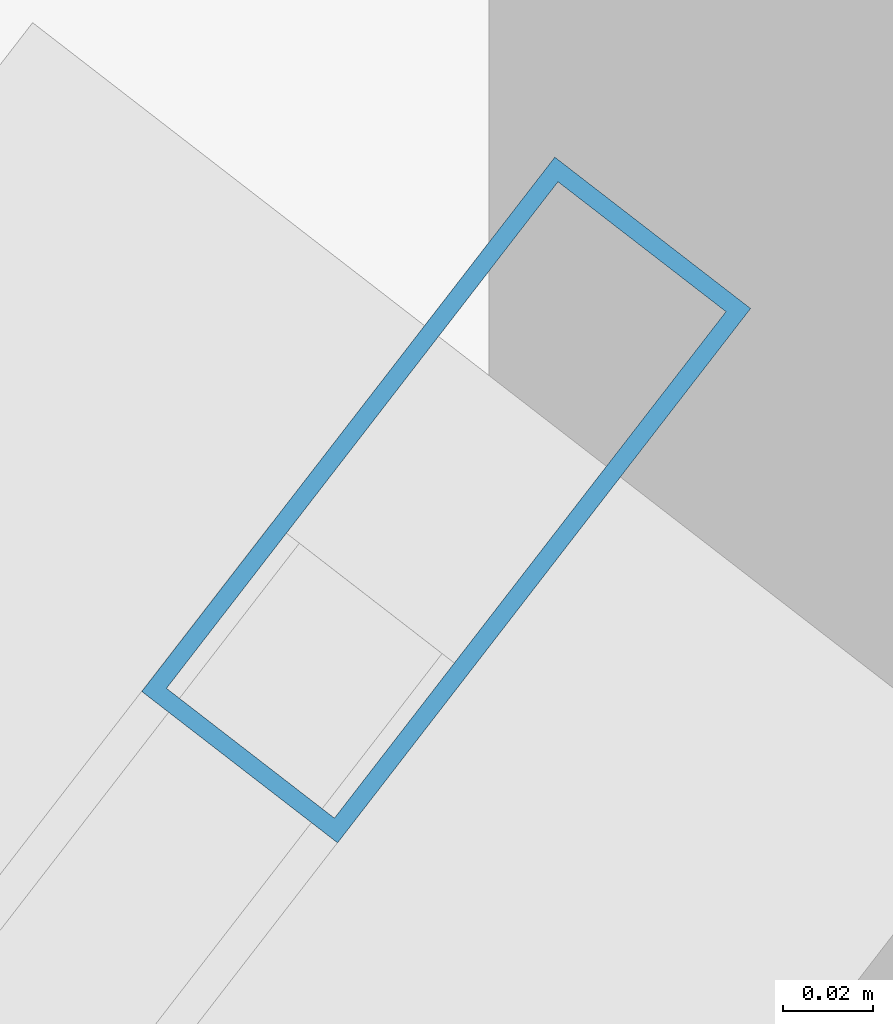
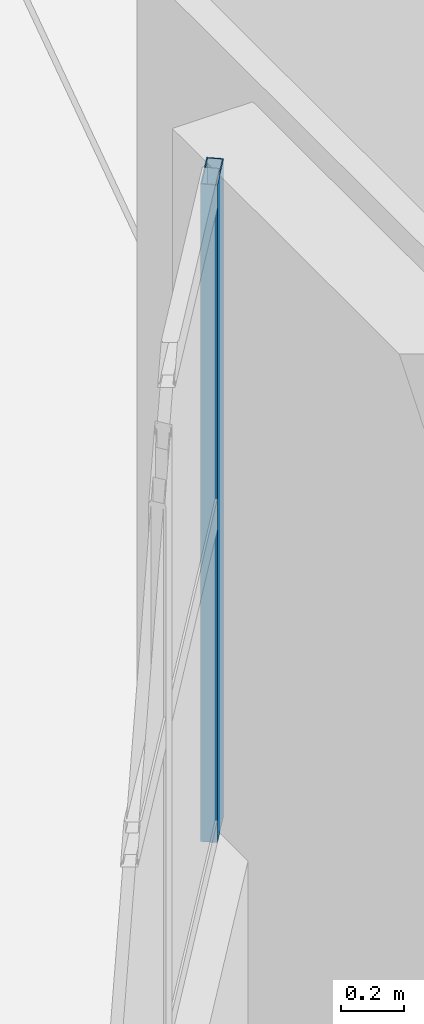
# One storey, part 13 of 46: 1 member, 1 element without a shape of its own.
"""IFC4 building model written with IfcOpenShell, lengths in metres."""

import ifcopenshell
import ifcopenshell.guid

model = None  # the IFC model being written
_history = None  # IfcOwnerHistory: only IFC2X3 demands one
_inside = {}  # id of a spatial element -> (the spatial element, [elements in it])
_under = {}  # id of a project, library or spatial element -> (it, [spatial elements below it])
_declared = {}  # id of a project -> (the project, [libraries it declares])
_typed = {}  # id of a type object -> (the type object, [elements of that type])
_made_of = {}  # id of a material, layer set ... -> (it, [elements and type objects made of it])


def new_model(schema):
    """Start an empty IFC model of exactly this schema.

    Asked for "IFC4X3", IfcOpenShell would pick the latest addendum, in which some entities
    have other attributes; the version numbers below select the first issue.
    IFC2X3 requires an IfcOwnerHistory on every rooted entity: one is made here for all.
    """
    global model, _history
    if schema == "IFC4X3":
        model = ifcopenshell.file(schema_version=(4, 3, 0, 0))
    else:
        model = ifcopenshell.file(schema=schema)
    _inside.clear()
    _under.clear()
    _declared.clear()
    _typed.clear()
    _made_of.clear()
    _history = None
    if model.schema == "IFC2X3":
        org = make("IfcOrganization", Name="unknown")
        user = make(
            "IfcPersonAndOrganization",
            ThePerson=make("IfcPerson", FamilyName="unknown"),
            TheOrganization=org,
        )
        app = make(
            "IfcApplication",
            ApplicationDeveloper=org,
            Version="unknown",
            ApplicationFullName="unknown",
            ApplicationIdentifier="unknown",
        )
        _history = make(
            "IfcOwnerHistory",
            OwningUser=user,
            OwningApplication=app,
            ChangeAction="ADDED",
            CreationDate=0,
        )
    return model


def make(cls, **values):
    """One entity of the class cls with the attributes given. An attribute that is None is left unset."""
    return model.create_entity(
        cls, **{name: value for name, value in values.items() if value is not None}
    )


def rooted(cls, **values):
    """An entity with a GlobalId (a new one), such as an element, a storey or a relation."""
    return make(cls, GlobalId=ifcopenshell.guid.new(), OwnerHistory=_history, **values)


def si_unit(unit_type, name, prefix=None):
    """IfcSIUnit, for example si_unit("LENGTHUNIT", "METRE", prefix="MILLI")."""
    return make("IfcSIUnit", UnitType=unit_type, Prefix=prefix, Name=name)


def assignment(units):
    """IfcUnitAssignment: the units of a project."""
    return None if units is None else make("IfcUnitAssignment", Units=units)


def point(xyz):
    """IfcCartesianPoint."""
    return None if xyz is None else make("IfcCartesianPoint", Coordinates=xyz)


def direction(xyz):
    """IfcDirection."""
    return None if xyz is None else make("IfcDirection", DirectionRatios=xyz)


def frame(location, z_axis=None, x_axis=None):
    """IfcAxis2Placement3D, a coordinate frame: its origin and axes. An axis left out is left unset."""
    return make(
        "IfcAxis2Placement3D",
        Location=point(location),
        Axis=direction(z_axis),
        RefDirection=direction(x_axis),
    )


def frame_2d(location, x_axis=None):
    """IfcAxis2Placement2D, a coordinate frame in the plane: its origin and x axis."""
    return make(
        "IfcAxis2Placement2D", Location=point(location), RefDirection=direction(x_axis)
    )


def origin():
    """The frame at (0, 0, 0) with its axes left unset."""
    return frame((0.0, 0.0, 0.0))


def origin_2d():
    """The frame at (0, 0) in the plane with its x axis left unset."""
    return frame_2d((0.0, 0.0))


def place(relative_to, where):
    """IfcLocalPlacement: puts the frame where relative to a parent placement (None: the world)."""
    return make(
        "IfcLocalPlacement", PlacementRelTo=relative_to, RelativePlacement=where
    )


def context(
    kind, dimensions, precision=None, world=None, true_north=None, identifier=None
):
    """IfcGeometricRepresentationContext, for example the 3D "Model" context."""
    return make(
        "IfcGeometricRepresentationContext",
        ContextIdentifier=identifier,
        ContextType=kind,
        CoordinateSpaceDimension=dimensions,
        Precision=precision,
        WorldCoordinateSystem=world,
        TrueNorth=true_north,
    )


def subcontext(parent, identifier, kind, view, scale=None):
    """IfcGeometricRepresentationSubContext, for example "Body" below "Model"."""
    return make(
        "IfcGeometricRepresentationSubContext",
        ContextIdentifier=identifier,
        ContextType=kind,
        ParentContext=parent,
        TargetScale=scale,
        TargetView=view,
    )


def project(units=None, contexts=None):
    """IfcProject with its units and contexts."""
    return rooted(
        "IfcProject",
        Name="project",
        RepresentationContexts=contexts,
        UnitsInContext=assignment(units),
    )


def spatial(cls, under=None, at=None, **own):
    """A site, building, storey or space (cls), placed at a placement, below another one or the project."""
    s = rooted(cls, ObjectPlacement=at, **own)
    if under is not None:
        _under.setdefault(under.id(), (under, []))[1].append(s)
    return s


def profile(cls, at=None, kind="AREA", **sizes):
    """A parametric profile (cls). Its sizes go by their IFC names, for example OverallWidth=200.0."""
    return make(cls, ProfileType=kind, Position=at, **sizes)


def hollow_rectangle(**sizes):
    """IfcRectangleHollowProfileDef."""
    return profile("IfcRectangleHollowProfileDef", **sizes)


def extrude(swept, where, along, depth):
    """IfcExtrudedAreaSolid: the profile swept, set in the frame where, extruded along a direction by depth."""
    return make(
        "IfcExtrudedAreaSolid",
        SweptArea=swept,
        Position=where,
        ExtrudedDirection=direction(along),
        Depth=depth,
    )


def shape(context_of_items, identifier, shape_type, items):
    """IfcShapeRepresentation: the items that make up one representation, for example the "Body"."""
    return make(
        "IfcShapeRepresentation",
        ContextOfItems=context_of_items,
        RepresentationIdentifier=identifier,
        RepresentationType=shape_type,
        Items=items,
    )


def material(Name=None, Category=None):
    """IfcMaterial."""
    return make("IfcMaterial", Name=Name, Category=Category)


def layer(
    of_material, thickness, ventilated=None, Name=None, Category=None, Priority=None
):
    """IfcMaterialLayer: one layer of a wall or slab, of a material (None: an air gap)."""
    return make(
        "IfcMaterialLayer",
        Material=of_material,
        LayerThickness=thickness,
        IsVentilated=ventilated,
        Name=Name,
        Category=Category,
        Priority=Priority,
    )


def layer_set(layers, Name=None):
    """IfcMaterialLayerSet."""
    return make("IfcMaterialLayerSet", MaterialLayers=layers, LayerSetName=Name)


def material_profile(
    of_material, cross_section, Name=None, Category=None, Priority=None
):
    """IfcMaterialProfile: a cross section and its material."""
    return make(
        "IfcMaterialProfile",
        Name=Name,
        Material=of_material,
        Profile=cross_section,
        Priority=Priority,
        Category=Category,
    )


def profile_set(profiles, Name=None, composite=None):
    """IfcMaterialProfileSet."""
    return make(
        "IfcMaterialProfileSet",
        Name=Name,
        MaterialProfiles=profiles,
        CompositeProfile=composite,
    )


def made_of(thing, what):
    """Note that an element or type object is made of a material, layer set ...; save() writes the relation."""
    if what is not None:
        _made_of.setdefault(what.id(), (what, []))[1].append(thing)
    return thing


def type_object(cls, material=None, **own):
    """A type object (cls), such as IfcWallType, which elements share."""
    return made_of(rooted(cls, **own), material)


def element(
    cls,
    number,
    at=None,
    inside=None,
    cuts=None,
    type_object=None,
    material=None,
    context=None,
    identifier="Body",
    shape_type=None,
    held_by="IfcProductDefinitionShape",
    body=None,
    shapes=None,
    **own,
):
    """One element of the class cls, such as IfcWall. Its Tag is "e" and its number.

    at: its placement. inside: the storey or other place that contains it. cuts: it is an
    opening in that element (IfcRelVoidsElement). A single representation is given by context,
    identifier, shape_type and body (its items); several are given by shapes. held_by: the class
    of the entity that holds the representations. save() writes the other relations.
    """
    e = rooted(cls, Tag="e%d" % number, ObjectPlacement=at, **own)
    if body is not None:
        shapes = [shape(context, identifier, shape_type, body)]
    if shapes is not None:
        e.Representation = make(held_by, Representations=shapes)
    if inside is not None:
        _inside.setdefault(inside.id(), (inside, []))[1].append(e)
    if cuts is not None:
        rooted(
            "IfcRelVoidsElement", RelatingBuildingElement=cuts, RelatedOpeningElement=e
        )
    if type_object is not None:
        _typed.setdefault(type_object.id(), (type_object, []))[1].append(e)
    return made_of(e, material)


def aggregate(whole, parts):
    """IfcRelAggregates: a whole, such as a stair, and the parts it consists of."""
    return rooted("IfcRelAggregates", RelatingObject=whole, RelatedObjects=parts)


def save(model, path):
    """Write the relations noted so far, then the file.

    IfcRelAggregates (storeys below a building ...), IfcRelContainedInSpatialStructure (elements
    in a storey), IfcRelDefinesByType, IfcRelAssociatesMaterial and IfcRelDeclares: one each for
    every whole, place, type object, material and project.
    """
    for whole, parts in _under.values():
        aggregate(whole, parts)
    for where, things in _inside.values():
        rooted(
            "IfcRelContainedInSpatialStructure",
            RelatedElements=things,
            RelatingStructure=where,
        )
    for kind, things in _typed.values():
        rooted("IfcRelDefinesByType", RelatedObjects=things, RelatingType=kind)
    for what, things in _made_of.values():
        rooted("IfcRelAssociatesMaterial", RelatedObjects=things, RelatingMaterial=what)
    for by, libraries in _declared.values():
        rooted("IfcRelDeclares", RelatingContext=by, RelatedDefinitions=libraries)
    model.write(path)


model = new_model("IFC4")

# Units and contexts
model_context = context("Model", 3, precision=1e-05, world=origin(), true_north=direction((0.0, 1.0)))
body_context = subcontext(model_context, "Body", "Model", "MODEL_VIEW")
ifc_project = project(units=[si_unit("LENGTHUNIT", "METRE"), si_unit("AREAUNIT", "SQUARE_METRE"), si_unit("VOLUMEUNIT", "CUBIC_METRE"), si_unit("PLANEANGLEUNIT", "RADIAN"), si_unit("MASSUNIT", "GRAM", prefix="KILO")], contexts=[model_context])

# Site, building, storey
site_placement = place(None, origin())
site = spatial("IfcSite", under=ifc_project, at=site_placement, CompositionType="ELEMENT")
building_placement = place(site_placement, origin())
building = spatial("IfcBuilding", under=site, at=building_placement, Name="Pelvatis Terrace Science Centre", CompositionType="ELEMENT")
storey_placement = place(building_placement, frame((0.0, 0.0, 19.800048828125)))
storey = spatial("IfcBuildingStorey", under=building, at=storey_placement, Name="L04", CompositionType="ELEMENT", Elevation=19.800048828125)

# Curtain wall, member
ifc_material_1 = material(Name="Bronze-anodised aluminium and laminated glass", Category="aluminium")
ifc_layer = layer(ifc_material_1, 0.14990234375)
ifc_layer_set = layer_set([ifc_layer], Name="Bronze-anodised aluminium and laminated glass")
curtain_wall_type = type_object("IfcCurtainWallType", Name="CW-PASSAGE-C", PredefinedType="NOTDEFINED", material=ifc_layer_set)
curtain_wall_placement = place(storey_placement, origin())
curtain_wall = element("IfcCurtainWall", 1, at=curtain_wall_placement, inside=storey, type_object=curtain_wall_type, Name="Ribbon curtain wall CW-236 (L04)", PredefinedType="NOTDEFINED")
ifc_material_2 = material(Name="Bronze-anodised aluminium 6063-T6", Category="aluminium")
ifc_material_profile = material_profile(ifc_material_2, hollow_rectangle(XDim=0.054931640625, YDim=0.14990234375, WallThickness=0.00390625, at=origin_2d()), Name="ALU-MUL 55x150")
ifc_profile_set = profile_set([ifc_material_profile], Name="Bronze-anodised aluminium 6063-T6")
member_type = type_object("IfcMemberType", Name="CWM-55x150", PredefinedType="MULLION", material=ifc_profile_set)
member_placement = place(storey_placement, frame((132.693115234375, 75.53173828125, 1.02001953125), z_axis=(0.0, 0.0, 1.0), x_axis=(-0.791180678019, 0.611582483994, 0.0)))
member = element("IfcMember", 2, at=member_placement, type_object=member_type, Name="CW-236 mullion 5", PredefinedType="MULLION", context=body_context, shape_type="SweptSolid", body=[
    extrude(hollow_rectangle(XDim=0.054931640625, YDim=0.14990234375, WallThickness=0.00390625, at=origin_2d()), origin(), (0.0, 0.0, 1.0), 2.550048828125),
])
aggregate(curtain_wall, [member])

save(model, "model.ifc")
